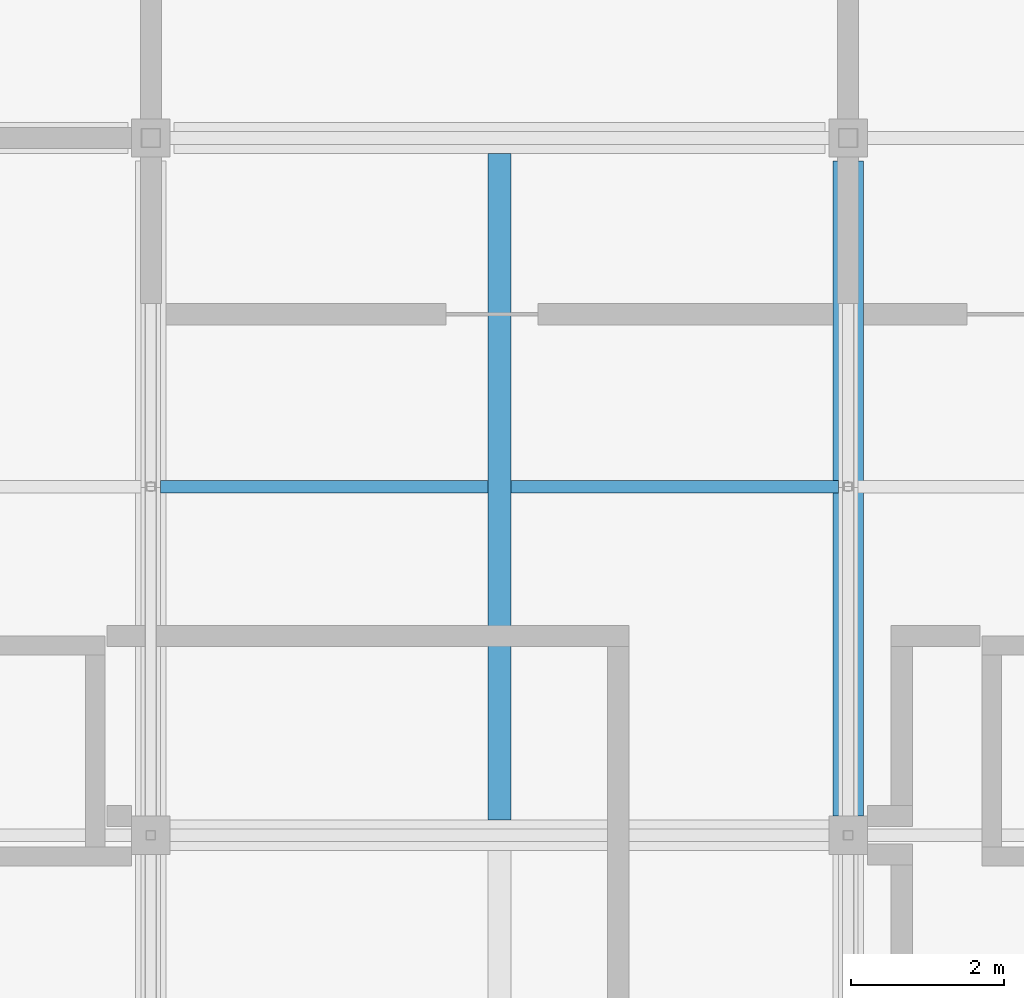
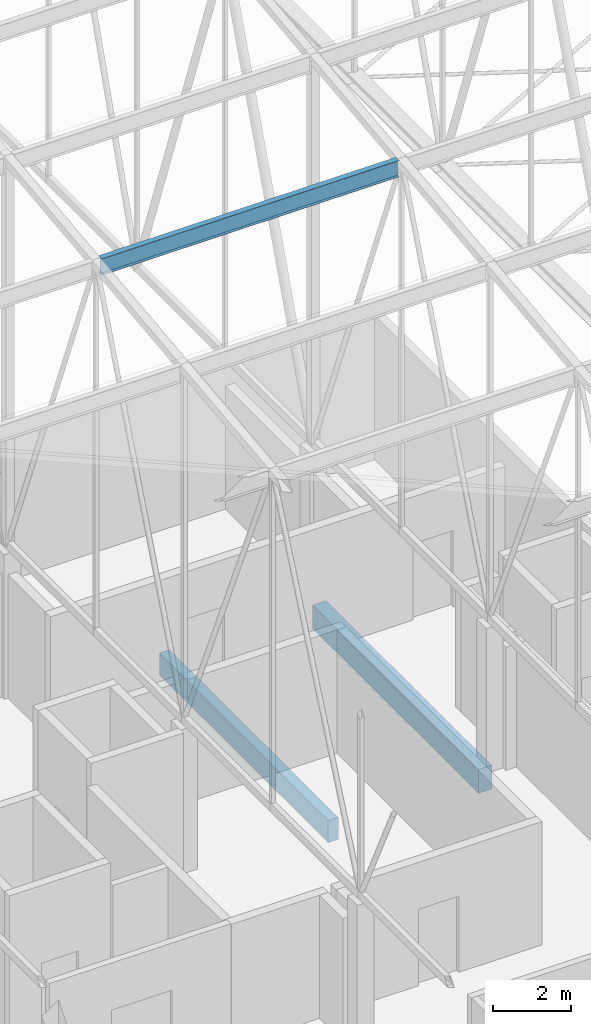
# One storey, part 77 of 500: 2 beams, 1 member.
"""IFC4 building model written with IfcOpenShell, lengths in metres."""

from ifc_helpers import new_model, si_unit, direction, frame, origin, origin_2d, place, context, subcontext, project, spatial, rectangle, i_section, extrude, material, material_profile, profile_set, type_object, element, save


model = new_model("IFC4")

# Units and contexts
model_context = context("Model", 3, precision=1e-05, world=origin(), true_north=direction((0.0, 1.0)))
body_context = subcontext(model_context, "Body", "Model", "MODEL_VIEW")
ifc_project = project(units=[si_unit("LENGTHUNIT", "METRE"), si_unit("AREAUNIT", "SQUARE_METRE"), si_unit("VOLUMEUNIT", "CUBIC_METRE"), si_unit("PLANEANGLEUNIT", "RADIAN"), si_unit("MASSUNIT", "GRAM", prefix="KILO")], contexts=[model_context])

# Site, building, storey
site_placement = place(None, origin())
site = spatial("IfcSite", under=ifc_project, at=site_placement, CompositionType="ELEMENT")
building_placement = place(site_placement, origin())
building = spatial("IfcBuilding", under=site, at=building_placement, Name="Shirokan Park Arena", CompositionType="ELEMENT")
storey_placement = place(building_placement, frame((0.0, 0.0, 29.1201171875)))
storey = spatial("IfcBuildingStorey", under=building, at=storey_placement, Name="L06", CompositionType="ELEMENT", Elevation=29.1201171875)

# Member
ifc_material_1 = material(Name="Steel ASTM A992", Category="steel")
ifc_material_profile_1 = material_profile(ifc_material_1, i_section(OverallWidth=0.166015625, OverallDepth=0.528076171875, WebThickness=0.009765625, FlangeThickness=0.013671875, at=origin_2d()), Name="W530X74")
ifc_profile_set_1 = profile_set([ifc_material_profile_1], Name="Steel ASTM A992")
member_type = type_object("IfcMemberType", Name="Purlin W530X74", PredefinedType="PURLIN", material=ifc_profile_set_1)
member_placement = place(storey_placement, frame((27.427001953125, 31.85009765625, 16.1259765625), z_axis=(1.0, 0.0, 0.0), x_axis=(0.0, 1.0, 0.0)))
element("IfcMember", 1, at=member_placement, inside=storey, type_object=member_type, Name="Purlin 10 bay 4", PredefinedType="PURLIN", context=body_context, shape_type="SweptSolid", body=[
    extrude(i_section(OverallWidth=0.166015625, OverallDepth=0.528076171875, WebThickness=0.009765625, FlangeThickness=0.013671875, at=origin_2d()), origin(), (0.0, 0.0, 1.0), 8.845947265625),
])

# Beams
ifc_material_2 = material(Name="Concrete C35", Category="concrete")
ifc_material_profile_2 = material_profile(ifc_material_2, rectangle(XDim=0.39990234375, YDim=0.75, at=origin_2d()), Name="400x750")
ifc_profile_set_2 = profile_set([ifc_material_profile_2], Name="Concrete C35")
beam_type_1 = type_object("IfcBeamType", Name="RC girder 400x750", PredefinedType="BEAM", material=ifc_profile_set_2)
beam_1_placement = place(storey_placement, frame((36.39990234375, 27.550048828125, -0.5751953125), z_axis=(0.0, 1.0, 0.0), x_axis=(-1.0, 0.0, 0.0)))
element("IfcBeam", 2, at=beam_1_placement, inside=storey, type_object=beam_type_1, Name="Girder 5D-5E L06", PredefinedType="BEAM", context=body_context, shape_type="SweptSolid", body=[
    extrude(rectangle(XDim=0.39990234375, YDim=0.75, at=origin_2d()), origin(), (0.0, 0.0, 1.0), 8.5498046875),
])
ifc_material_profile_3 = material_profile(ifc_material_2, rectangle(XDim=0.300048828125, YDim=0.699951171875, at=origin_2d()), Name="300x700")
ifc_profile_set_3 = profile_set([ifc_material_profile_3], Name="Concrete C35")
beam_type_2 = type_object("IfcBeamType", Name="RC joist 300x700", PredefinedType="JOIST", material=ifc_profile_set_3)
beam_2_placement = place(storey_placement, frame((31.85009765625, 27.5, -0.550048828125), z_axis=(0.0, 1.0, 0.0), x_axis=(-1.0, 0.0, 0.0)))
element("IfcBeam", 3, at=beam_2_placement, inside=storey, type_object=beam_type_2, Name="Joist 5D L06", PredefinedType="JOIST", context=body_context, shape_type="SweptSolid", body=[
    extrude(rectangle(XDim=0.300048828125, YDim=0.699951171875, at=origin_2d()), origin(), (0.0, 0.0, 1.0), 8.699951171875),
])

save(model, "model.ifc")
